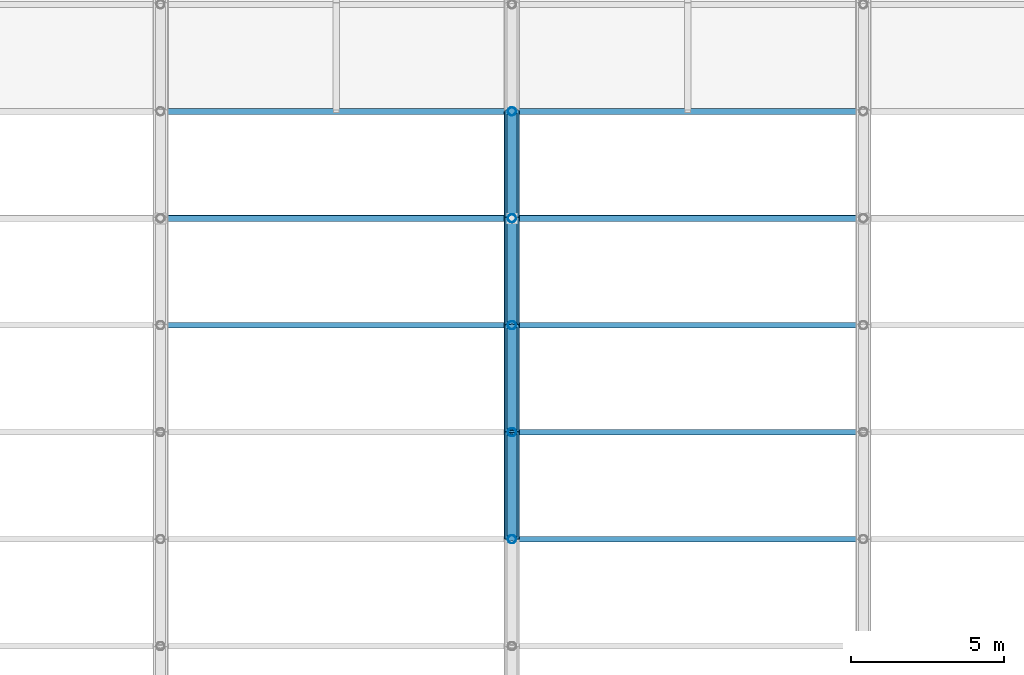
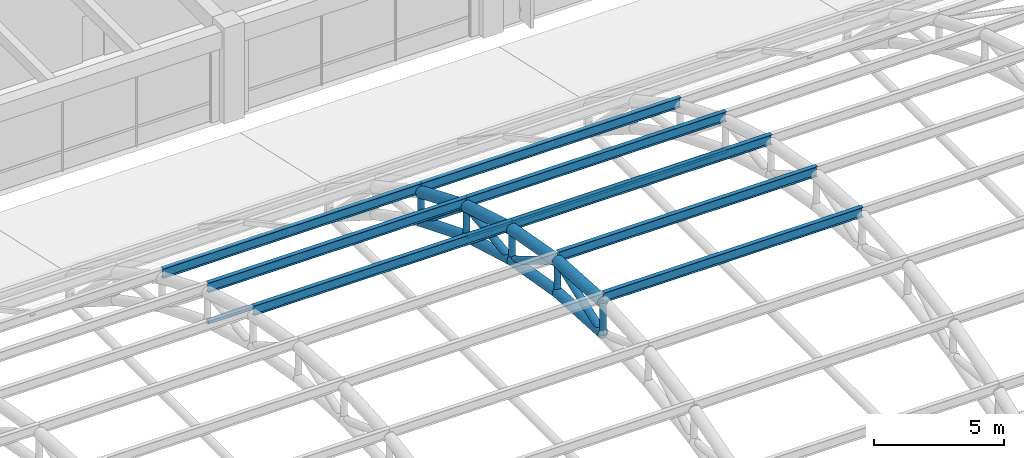
# One storey, part 100 of 154: 27 members.
"""IFC4 building model written with IfcOpenShell, lengths in metres."""

from ifc_helpers import new_model, si_unit, direction, frame, origin, origin_2d, place, context, subcontext, project, spatial, hollow_circle, i_section, extrude, material, material_profile, profile_set, type_object, element, save


model = new_model("IFC4")

# Units and contexts
model_context = context("Model", 3, precision=1e-05, world=origin(), true_north=direction((0.0, 1.0)))
body_context = subcontext(model_context, "Body", "Model", "MODEL_VIEW")
ifc_project = project(units=[si_unit("LENGTHUNIT", "METRE"), si_unit("AREAUNIT", "SQUARE_METRE"), si_unit("VOLUMEUNIT", "CUBIC_METRE"), si_unit("PLANEANGLEUNIT", "RADIAN"), si_unit("MASSUNIT", "GRAM", prefix="KILO")], contexts=[model_context])

# Site, building, storey
site_placement = place(None, origin())
site = spatial("IfcSite", under=ifc_project, at=site_placement, CompositionType="ELEMENT")
building_placement = place(site_placement, origin())
building = spatial("IfcBuilding", under=site, at=building_placement, Name="Ologun Quay Terminus", CompositionType="ELEMENT")
storey_placement = place(building_placement, frame((0.0, 0.0, 13.800048828125)))
storey = spatial("IfcBuildingStorey", under=building, at=storey_placement, Name="L03", CompositionType="ELEMENT", Elevation=13.800048828125)

# Members
ifc_material_1 = material(Name="Steel S355", Category="steel")
ifc_material_profile_1 = material_profile(ifc_material_1, hollow_circle(Radius=0.136474609375, WallThickness=0.010009765625, at=origin_2d()), Name="CHS 273x10")
ifc_profile_set_1 = profile_set([ifc_material_profile_1], Name="Steel S355")
member_type_1 = type_object("IfcMemberType", Name="Arch Truss Vertical Post CHS273", PredefinedType="STRUT", material=ifc_profile_set_1)
member_1_placement = place(storey_placement, frame((138.0, 57.0, 7.239990234375), z_axis=(0.0, 0.0, 1.0), x_axis=(1.0, 0.0, 0.0)))
element("IfcMember", 1, at=member_1_placement, inside=storey, type_object=member_type_1, Name="AW2 Arch Web Post 13-N6", PredefinedType="STRUT", context=body_context, shape_type="SweptSolid", body=[
    extrude(hollow_circle(Radius=0.136474609375, WallThickness=0.010009765625, at=origin_2d()), origin(), (0.0, 0.0, 1.0), 1.47998046875),
])
member_2_placement = place(storey_placement, frame((138.0, 60.5, 7.038818359375), z_axis=(0.0, 0.0, 1.0), x_axis=(1.0, 0.0, 0.0)))
element("IfcMember", 2, at=member_2_placement, inside=storey, type_object=member_type_1, Name="AW2 Arch Web Post 13-N7", PredefinedType="STRUT", context=body_context, shape_type="SweptSolid", body=[
    extrude(hollow_circle(Radius=0.136474609375, WallThickness=0.010009765625, at=origin_2d()), origin(), (0.0, 0.0, 1.0), 1.47216796875),
])
member_3_placement = place(storey_placement, frame((138.0, 64.0, 6.435546875), z_axis=(0.0, 0.0, 1.0), x_axis=(1.0, 0.0, 0.0)))
element("IfcMember", 3, at=member_3_placement, inside=storey, type_object=member_type_1, Name="AW2 Arch Web Post 13-N8", PredefinedType="STRUT", context=body_context, shape_type="SweptSolid", body=[
    extrude(hollow_circle(Radius=0.136474609375, WallThickness=0.010009765625, at=origin_2d()), origin(), (0.0, 0.0, 1.0), 1.44873046875),
])
member_4_placement = place(storey_placement, frame((138.0, 67.5, 5.429931640625), z_axis=(0.0, 0.0, 1.0), x_axis=(1.0, 0.0, 0.0)))
element("IfcMember", 4, at=member_4_placement, inside=storey, type_object=member_type_1, Name="AW2 Arch Web Post 13-N9", PredefinedType="STRUT", context=body_context, shape_type="SweptSolid", body=[
    extrude(hollow_circle(Radius=0.136474609375, WallThickness=0.010009765625, at=origin_2d()), origin(), (0.0, 0.0, 1.0), 1.409912109375),
])
member_5_placement = place(storey_placement, frame((138.0, 71.0, 4.022216796875), z_axis=(0.0, 0.0, 1.0), x_axis=(1.0, 0.0, 0.0)))
element("IfcMember", 5, at=member_5_placement, inside=storey, type_object=member_type_1, Name="AW2 Arch Web Post 13-N10", PredefinedType="STRUT", context=body_context, shape_type="SweptSolid", body=[
    extrude(hollow_circle(Radius=0.136474609375, WallThickness=0.010009765625, at=origin_2d()), origin(), (0.0, 0.0, 1.0), 1.35546875),
])
ifc_material_2 = material(Name="Steel S355", Category="steel")
ifc_material_profile_2 = material_profile(ifc_material_2, hollow_circle(Radius=0.161865234375, WallThickness=0.010009765625, at=origin_2d()), Name="CHS 323.9x10")
ifc_profile_set_2 = profile_set([ifc_material_profile_2], Name="Steel S355")
member_type_2 = type_object("IfcMemberType", Name="Arch Truss Web Diagonal CHS323", PredefinedType="BRACE", material=ifc_profile_set_2)
member_6_placement = place(storey_placement, frame((138.0, 57.0, 7.239990234375), z_axis=(0.0, 0.939942650142, 0.34133241048), x_axis=(-1.0, 0.0, 0.0)))
element("IfcMember", 6, at=member_6_placement, inside=storey, type_object=member_type_2, Name="AW1 Arch Web Diagonal 13-P7", PredefinedType="BRACE", context=body_context, shape_type="SweptSolid", body=[
    extrude(hollow_circle(Radius=0.161865234375, WallThickness=0.010009765625, at=origin_2d()), origin(), (0.0, 0.0, 1.0), 3.7236328125),
])
member_7_placement = place(storey_placement, frame((138.0, 60.5, 8.510986328125), z_axis=(0.0, 0.860144332958, -0.510050709715), x_axis=(-1.0, 0.0, 0.0)))
element("IfcMember", 7, at=member_7_placement, inside=storey, type_object=member_type_2, Name="AW1 Arch Web Diagonal 13-P8", PredefinedType="BRACE", context=body_context, shape_type="SweptSolid", body=[
    extrude(hollow_circle(Radius=0.161865234375, WallThickness=0.010009765625, at=origin_2d()), origin(), (0.0, 0.0, 1.0), 4.069091796875),
])
member_8_placement = place(storey_placement, frame((138.0, 64.0, 6.435546875), z_axis=(0.0, 0.993394361, 0.114750353084), x_axis=(-1.0, 0.0, 0.0)))
element("IfcMember", 8, at=member_8_placement, inside=storey, type_object=member_type_2, Name="AW1 Arch Web Diagonal 13-P9", PredefinedType="BRACE", context=body_context, shape_type="SweptSolid", body=[
    extrude(hollow_circle(Radius=0.161865234375, WallThickness=0.010009765625, at=origin_2d()), origin(), (0.0, 0.0, 1.0), 3.523193359375),
])
member_9_placement = place(storey_placement, frame((138.0, 67.5, 6.83984375), z_axis=(0.0, 0.77895148125, -0.627084196785), x_axis=(-1.0, 0.0, 0.0)))
element("IfcMember", 9, at=member_9_placement, inside=storey, type_object=member_type_2, Name="AW1 Arch Web Diagonal 13-P10", PredefinedType="BRACE", context=body_context, shape_type="SweptSolid", body=[
    extrude(hollow_circle(Radius=0.161865234375, WallThickness=0.010009765625, at=origin_2d()), origin(), (0.0, 0.0, 1.0), 4.4931640625),
])
ifc_material_3 = material(Name="Steel S355", Category="steel")
ifc_material_profile_3 = material_profile(ifc_material_3, hollow_circle(Radius=0.228515625, WallThickness=0.01611328125, at=origin_2d()), Name="CHS 457x16")
ifc_profile_set_3 = profile_set([ifc_material_profile_3], Name="Steel S355")
member_type_3 = type_object("IfcMemberType", Name="Parabolic Arch Bottom Chord CHS457", PredefinedType="CHORD", material=ifc_profile_set_3)
member_10_placement = place(storey_placement, frame((138.0, 57.0, 7.239990234375), z_axis=(0.0, 0.998352239869, -0.057382969144), x_axis=(-1.0, 0.0, 0.0)))
element("IfcMember", 10, at=member_10_placement, inside=storey, type_object=member_type_3, Name="AC2 Arch Bottom Chord 13-P7", PredefinedType="CHORD", context=body_context, shape_type="SweptSolid", body=[
    extrude(hollow_circle(Radius=0.228515625, WallThickness=0.01611328125, at=origin_2d()), origin(), (0.0, 0.0, 1.0), 3.505859375),
])
member_11_placement = place(storey_placement, frame((138.0, 60.5, 7.038818359375), z_axis=(0.0, 0.985468449185, -0.16985857547), x_axis=(-1.0, 0.0, 0.0)))
element("IfcMember", 11, at=member_11_placement, inside=storey, type_object=member_type_3, Name="AC2 Arch Bottom Chord 13-P8", PredefinedType="CHORD", context=body_context, shape_type="SweptSolid", body=[
    extrude(hollow_circle(Radius=0.228515625, WallThickness=0.01611328125, at=origin_2d()), origin(), (0.0, 0.0, 1.0), 3.551513671875),
])
member_12_placement = place(storey_placement, frame((138.0, 64.0, 6.435546875), z_axis=(0.0, 0.961115578425, -0.276146419331), x_axis=(-1.0, 0.0, 0.0)))
element("IfcMember", 12, at=member_12_placement, inside=storey, type_object=member_type_3, Name="AC2 Arch Bottom Chord 13-P9", PredefinedType="CHORD", context=body_context, shape_type="SweptSolid", body=[
    extrude(hollow_circle(Radius=0.228515625, WallThickness=0.01611328125, at=origin_2d()), origin(), (0.0, 0.0, 1.0), 3.6416015625),
])
member_13_placement = place(storey_placement, frame((138.0, 67.5, 5.429931640625), z_axis=(0.0, 0.92776983497, -0.373152962363), x_axis=(-1.0, 0.0, 0.0)))
element("IfcMember", 13, at=member_13_placement, inside=storey, type_object=member_type_3, Name="AC2 Arch Bottom Chord 13-P10", PredefinedType="CHORD", context=body_context, shape_type="SweptSolid", body=[
    extrude(hollow_circle(Radius=0.228515625, WallThickness=0.01611328125, at=origin_2d()), origin(), (0.0, 0.0, 1.0), 3.7724609375),
])
ifc_material_4 = material(Name="Steel S355", Category="steel")
ifc_material_profile_4 = material_profile(ifc_material_4, hollow_circle(Radius=0.25390625, WallThickness=0.01611328125, at=origin_2d()), Name="CHS 508x16")
ifc_profile_set_4 = profile_set([ifc_material_profile_4], Name="Steel S355")
member_type_4 = type_object("IfcMemberType", Name="Parabolic Arch Top Chord CHS508", PredefinedType="CHORD", material=ifc_profile_set_4)
member_14_placement = place(storey_placement, frame((138.0, 57.0, 8.719970703125), z_axis=(0.0, 0.998222121157, -0.0596036646), x_axis=(-1.0, 0.0, 0.0)))
element("IfcMember", 14, at=member_14_placement, inside=storey, type_object=member_type_4, Name="Arch Top Chord 13-P7", PredefinedType="CHORD", context=body_context, shape_type="SweptSolid", body=[
    extrude(hollow_circle(Radius=0.25390625, WallThickness=0.01611328125, at=origin_2d()), origin(), (0.0, 0.0, 1.0), 3.50634765625),
])
member_15_placement = place(storey_placement, frame((138.0, 60.5, 8.510986328125), z_axis=(0.0, 0.984344289591, -0.176256402859), x_axis=(-1.0, 0.0, 0.0)))
element("IfcMember", 15, at=member_15_placement, inside=storey, type_object=member_type_4, Name="Arch Top Chord 13-P8", PredefinedType="CHORD", context=body_context, shape_type="SweptSolid", body=[
    extrude(hollow_circle(Radius=0.25390625, WallThickness=0.01611328125, at=origin_2d()), origin(), (0.0, 0.0, 1.0), 3.5556640625),
])
member_16_placement = place(storey_placement, frame((138.0, 64.0, 7.88427734375), z_axis=(0.0, 0.958244712677, -0.285949419701), x_axis=(-1.0, 0.0, 0.0)))
element("IfcMember", 16, at=member_16_placement, inside=storey, type_object=member_type_4, Name="Arch Top Chord 13-P9", PredefinedType="CHORD", context=body_context, shape_type="SweptSolid", body=[
    extrude(hollow_circle(Radius=0.25390625, WallThickness=0.01611328125, at=origin_2d()), origin(), (0.0, 0.0, 1.0), 3.652587890625),
])
member_17_placement = place(storey_placement, frame((138.0, 67.5, 6.83984375), z_axis=(0.0, 0.922718523726, -0.385474416755), x_axis=(-1.0, 0.0, 0.0)))
element("IfcMember", 17, at=member_17_placement, inside=storey, type_object=member_type_4, Name="Arch Top Chord 13-P10", PredefinedType="CHORD", context=body_context, shape_type="SweptSolid", body=[
    extrude(hollow_circle(Radius=0.25390625, WallThickness=0.01611328125, at=origin_2d()), origin(), (0.0, 0.0, 1.0), 3.793212890625),
])
ifc_material_5 = material(Name="Steel S355", Category="steel")
ifc_material_profile_5 = material_profile(ifc_material_5, hollow_circle(Radius=0.109619140625, WallThickness=0.008056640625, at=origin_2d()), Name="CHS 219.1x8")
ifc_profile_set_5 = profile_set([ifc_material_profile_5], Name="Steel S355")
member_type_5 = type_object("IfcMemberType", Name="Roof Plan Wind Brace Collector CHS219", PredefinedType="STRUT", material=ifc_profile_set_5)
for number, where, z_axis, x_axis, name in (
    (18, (126.5, 67.5, 5.429931640625), (1.0, 0.0, 0.0), (0.0, 1.0, 0.0), "WB2 Collector Strut B12-K9"),
    (19, (138.0, 67.5, 5.429931640625), (1.0, 0.0, 0.0), (0.0, 1.0, 0.0), "WB2 Collector Strut B13-K9"),
):
    element("IfcMember", number, at=place(storey_placement, frame(where, z_axis=z_axis, x_axis=x_axis)), inside=storey, type_object=member_type_5, Name=name, PredefinedType="STRUT", context=body_context, shape_type="SweptSolid", body=[
        extrude(hollow_circle(Radius=0.109619140625, WallThickness=0.008056640625, at=origin_2d()), origin(), (0.0, 0.0, 1.0), 11.5),
    ])
ifc_material_6 = material(Name="Steel S355", Category="steel")
ifc_material_profile_6 = material_profile(ifc_material_6, i_section(OverallWidth=0.1904296875, OverallDepth=0.45703125, WebThickness=0.009033203125, FlangeThickness=0.014404296875, at=origin_2d()), Name="UKB 457x191x74")
ifc_profile_set_6 = profile_set([ifc_material_profile_6], Name="Steel S355")
member_type_6 = type_object("IfcMemberType", Name="Train Shed Primary Roof Purlin UKB457", PredefinedType="PURLIN", material=ifc_profile_set_6)
for number, where, z_axis, x_axis, name in (
    (20, (126.5, 64.0, 8.11279296875), (1.0, 0.0, 0.0), (0.0, 1.0, 0.0), "PR1 Roof Purlin B12-N8"),
    (21, (126.5, 67.5, 7.068359375), (1.0, 0.0, 0.0), (0.0, 1.0, 0.0), "PR1 Roof Purlin B12-N9"),
    (22, (126.5, 71.0, 5.606201171875), (1.0, 0.0, 0.0), (0.0, 1.0, 0.0), "PR1 Roof Purlin B12-N10"),
    (23, (138.0, 57.0, 8.948486328125), (1.0, 0.0, 0.0), (0.0, 1.0, 0.0), "PR1 Roof Purlin B13-N6"),
    (24, (138.0, 60.5, 8.739501953125), (1.0, 0.0, 0.0), (0.0, 1.0, 0.0), "PR1 Roof Purlin B13-N7"),
    (25, (138.0, 64.0, 8.11279296875), (1.0, 0.0, 0.0), (0.0, 1.0, 0.0), "PR1 Roof Purlin B13-N8"),
    (26, (138.0, 67.5, 7.068359375), (1.0, 0.0, 0.0), (0.0, 1.0, 0.0), "PR1 Roof Purlin B13-N9"),
    (27, (138.0, 71.0, 5.606201171875), (1.0, 0.0, 0.0), (0.0, 1.0, 0.0), "PR1 Roof Purlin B13-N10"),
):
    element("IfcMember", number, at=place(storey_placement, frame(where, z_axis=z_axis, x_axis=x_axis)), inside=storey, type_object=member_type_6, Name=name, PredefinedType="PURLIN", context=body_context, shape_type="SweptSolid", body=[
        extrude(i_section(OverallWidth=0.1904296875, OverallDepth=0.45703125, WebThickness=0.009033203125, FlangeThickness=0.014404296875, at=origin_2d()), origin(), (0.0, 0.0, 1.0), 11.5),
    ])

save(model, "model.ifc")
